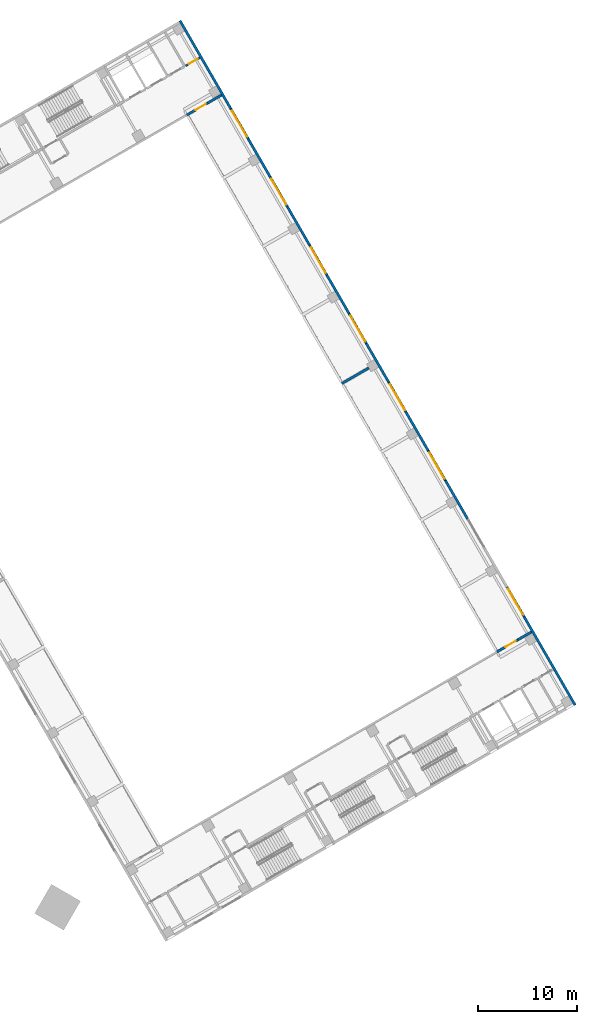
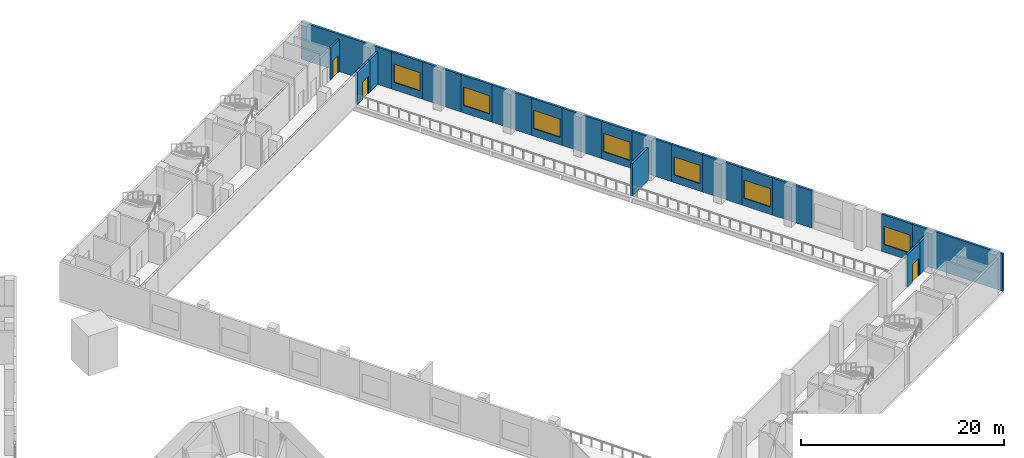
# One storey, part 18 of 28: 21 walls, 7 windows, 3 doors, 10 openings.
"""IFC4 building model written with IfcOpenShell, lengths in metres."""

from ifc_helpers import new_model, si_unit, direction, frame, frame_2d, origin, place, context, subcontext, project, spatial, rectangle, extrude, material, layer, layer_set, type_object, element, fill, save


model = new_model("IFC4")

# Units and contexts
model_context = context("Model", 3, precision=1e-05, world=origin(), true_north=direction((0.0, 1.0)))
body_context = subcontext(model_context, "Body", "Model", "MODEL_VIEW")
ifc_project = project(units=[si_unit("LENGTHUNIT", "METRE"), si_unit("AREAUNIT", "SQUARE_METRE"), si_unit("VOLUMEUNIT", "CUBIC_METRE"), si_unit("PLANEANGLEUNIT", "RADIAN"), si_unit("MASSUNIT", "GRAM", prefix="KILO")], contexts=[model_context])

# Site, building, storey
site_placement = place(None, origin())
site = spatial("IfcSite", under=ifc_project, at=site_placement, CompositionType="ELEMENT")
building_placement = place(site_placement, origin())
building = spatial("IfcBuilding", under=site, at=building_placement, Name="Mestral Congress Tower", CompositionType="ELEMENT")
storey_placement = place(building_placement, frame((0.0, 0.0, 11.39990234375)))
storey = spatial("IfcBuildingStorey", under=building, at=storey_placement, Name="L02", CompositionType="ELEMENT", Elevation=11.39990234375)

# Wall
ifc_material_1 = material(Name="Precast concrete C40/50 with limestone facing", Category="masonry")
ifc_layer_1 = layer(ifc_material_1, 0.25)
ifc_layer_set_1 = layer_set([ifc_layer_1], Name="Precast concrete C40/50 with limestone facing")
wall_type_1 = type_object("IfcWallType", Name="Podium external wall 250", PredefinedType="SOLIDWALL", material=ifc_layer_set_1)
wall_1_placement = place(storey_placement, frame((78.75927734375, 11.19091796875, 0.0), z_axis=(0.0, 0.0, 1.0), x_axis=(0.500001855621, -0.866024332438, 0.0)))
element("IfcWall", 1, at=wall_1_placement, inside=storey, type_object=wall_type_1, Name="L02 external wall", PredefinedType="SOLIDWALL", context=body_context, shape_type="SweptSolid", body=[
    extrude(rectangle(XDim=10.31201171875, YDim=0.25, at=frame_2d((5.156005859375, 0.0))), origin(), (0.0, 0.0, 1.0), 4.5),
])

# Wall, opening, window
wall_2_placement = place(storey_placement, frame((77.00927734375, 14.221923828125, 0.0), z_axis=(0.0, 0.0, 1.0), x_axis=(0.500010275428, -0.866019471182, 0.0)))
wall_2 = element("IfcWall", 2, at=wall_2_placement, inside=storey, type_object=wall_type_1, Name="L02 external wall", PredefinedType="SOLIDWALL", context=body_context, shape_type="SweptSolid", body=[
    extrude(rectangle(XDim=3.5, YDim=0.25, at=frame_2d((1.75, 0.0))), origin(), (0.0, 0.0, 1.0), 4.5),
])
opening_1_placement = place(wall_2_placement, frame((0.25, 0.0, 0.89990234375)))
opening_1 = element("IfcOpeningElement", 3, at=opening_1_placement, cuts=wall_2, Name="Opening PW-3000x2200", PredefinedType="OPENING", context=body_context, shape_type="SweptSolid", body=[
    extrude(rectangle(XDim=3.0, YDim=2.199951171875, at=frame_2d((1.5, 1.10009765625))), frame((0.0, 0.135009765625, 0.0), z_axis=(0.0, -1.0, 0.0), x_axis=(1.0, 0.0, 0.0)), (0.0, 0.0, 1.0), 0.27001953125),
])
ifc_material_2 = material(Name="Aluminium frame, clear double glazing", Category="aluminium")
window_type = type_object("IfcWindowType", Name="Podium window 3000x2200 sill 900", PartitioningType="SINGLE_PANEL", PredefinedType="WINDOW", material=ifc_material_2)
window_1_placement = place(opening_1_placement, origin())
window_1 = element("IfcWindow", 4, at=window_1_placement, inside=storey, type_object=window_type, Name="Window", OverallHeight=2.199951171875, OverallWidth=3.0, PartitioningType="SINGLE_PANEL", PredefinedType="WINDOW", context=body_context, shape_type="SweptSolid", body=[
    extrude(rectangle(XDim=3.0, YDim=2.199951171875, at=frame_2d((1.5, 1.10009765625))), frame((0.0, 0.030029296875, 0.0), z_axis=(0.0, -1.0, 0.0), x_axis=(1.0, 0.0, 0.0)), (0.0, 0.0, 1.0), 0.06005859375),
])
fill(opening_1, window_1)

# Wall
wall_3_placement = place(storey_placement, frame((70.790283203125, 24.99365234375, 0.0), z_axis=(0.0, 0.0, 1.0), x_axis=(0.500013631625, -0.866017533419, 0.0)))
element("IfcWall", 5, at=wall_3_placement, inside=storey, type_object=wall_type_1, Name="L02 external wall", PredefinedType="SOLIDWALL", context=body_context, shape_type="SweptSolid", body=[
    extrude(rectangle(XDim=4.499755859375, YDim=0.25, at=frame_2d((2.25, 0.0))), origin(), (0.0, 0.0, 1.0), 4.5),
])

# Wall, opening, window
wall_4_placement = place(storey_placement, frame((69.040283203125, 28.02490234375, 0.0), z_axis=(0.0, 0.0, 1.0), x_axis=(0.499980071345, -0.866036909293, 0.0)))
wall_4 = element("IfcWall", 6, at=wall_4_placement, inside=storey, type_object=wall_type_1, Name="L02 external wall", PredefinedType="SOLIDWALL", context=body_context, shape_type="SweptSolid", body=[
    extrude(rectangle(XDim=3.500244140625, YDim=0.25, at=frame_2d((1.75, 0.0))), origin(), (0.0, 0.0, 1.0), 4.5),
])
opening_2_placement = place(wall_4_placement, frame((0.25, 0.0, 0.89990234375)))
opening_2 = element("IfcOpeningElement", 7, at=opening_2_placement, cuts=wall_4, Name="Opening PW-3000x2200", PredefinedType="OPENING", context=body_context, shape_type="SweptSolid", body=[
    extrude(rectangle(XDim=3.0, YDim=2.199951171875, at=frame_2d((1.5, 1.10009765625))), frame((0.0, 0.135009765625, 0.0), z_axis=(0.0, -1.0, 0.0), x_axis=(1.0, 0.0, 0.0)), (0.0, 0.0, 1.0), 0.27001953125),
])
window_2_placement = place(opening_2_placement, origin())
window_2 = element("IfcWindow", 8, at=window_2_placement, inside=storey, type_object=window_type, Name="Window", OverallHeight=2.199951171875, OverallWidth=3.0, PartitioningType="SINGLE_PANEL", PredefinedType="WINDOW", context=body_context, shape_type="SweptSolid", body=[
    extrude(rectangle(XDim=3.0, YDim=2.199951171875, at=frame_2d((1.5, 1.10009765625))), frame((0.0, 0.030029296875, 0.0), z_axis=(0.0, -1.0, 0.0), x_axis=(1.0, 0.0, 0.0)), (0.0, 0.0, 1.0), 0.06005859375),
])
fill(opening_2, window_2)

# Wall
wall_5_placement = place(storey_placement, frame((66.790283203125, 31.921875, 0.0), z_axis=(0.0, 0.0, 1.0), x_axis=(0.500013631625, -0.866017533419, 0.0)))
element("IfcWall", 9, at=wall_5_placement, inside=storey, type_object=wall_type_1, Name="L02 external wall", PredefinedType="SOLIDWALL", context=body_context, shape_type="SweptSolid", body=[
    extrude(rectangle(XDim=4.499755859375, YDim=0.25, at=frame_2d((2.25, 0.0))), origin(), (0.0, 0.0, 1.0), 4.5),
])

# Wall, opening, window
wall_6_placement = place(storey_placement, frame((65.040283203125, 34.952880859375, 0.0), z_axis=(0.0, 0.0, 1.0), x_axis=(0.500010275428, -0.866019471182, 0.0)))
wall_6 = element("IfcWall", 10, at=wall_6_placement, inside=storey, type_object=wall_type_1, Name="L02 external wall", PredefinedType="SOLIDWALL", context=body_context, shape_type="SweptSolid", body=[
    extrude(rectangle(XDim=3.5, YDim=0.25, at=frame_2d((1.75, 0.0))), origin(), (0.0, 0.0, 1.0), 4.5),
])
opening_3_placement = place(wall_6_placement, frame((0.25, 0.0, 0.89990234375)))
opening_3 = element("IfcOpeningElement", 11, at=opening_3_placement, cuts=wall_6, Name="Opening PW-3000x2200", PredefinedType="OPENING", context=body_context, shape_type="SweptSolid", body=[
    extrude(rectangle(XDim=3.0, YDim=2.199951171875, at=frame_2d((1.5, 1.10009765625))), frame((0.0, 0.135009765625, 0.0), z_axis=(0.0, -1.0, 0.0), x_axis=(1.0, 0.0, 0.0)), (0.0, 0.0, 1.0), 0.27001953125),
])
window_3_placement = place(opening_3_placement, origin())
window_3 = element("IfcWindow", 12, at=window_3_placement, inside=storey, type_object=window_type, Name="Window", OverallHeight=2.199951171875, OverallWidth=3.0, PartitioningType="SINGLE_PANEL", PredefinedType="WINDOW", context=body_context, shape_type="SweptSolid", body=[
    extrude(rectangle(XDim=3.0, YDim=2.199951171875, at=frame_2d((1.5, 1.10009765625))), frame((0.0, 0.030029296875, 0.0), z_axis=(0.0, -1.0, 0.0), x_axis=(1.0, 0.0, 0.0)), (0.0, 0.0, 1.0), 0.06005859375),
])
fill(opening_3, window_3)

# Wall
wall_7_placement = place(storey_placement, frame((62.790283203125, 38.85009765625, 0.0), z_axis=(0.0, 0.0, 1.0), x_axis=(0.499990139034, -0.866031096941, 0.0)))
element("IfcWall", 13, at=wall_7_placement, inside=storey, type_object=wall_type_1, Name="L02 external wall", PredefinedType="SOLIDWALL", context=body_context, shape_type="SweptSolid", body=[
    extrude(rectangle(XDim=4.5, YDim=0.25, at=frame_2d((2.25, 0.0))), origin(), (0.0, 0.0, 1.0), 4.5),
])

# Wall, opening, window
wall_8_placement = place(storey_placement, frame((61.040283203125, 41.881103515625, 0.0), z_axis=(0.0, 0.0, 1.0), x_axis=(0.500010275428, -0.866019471182, 0.0)))
wall_8 = element("IfcWall", 14, at=wall_8_placement, inside=storey, type_object=wall_type_1, Name="L02 external wall", PredefinedType="SOLIDWALL", context=body_context, shape_type="SweptSolid", body=[
    extrude(rectangle(XDim=3.5, YDim=0.25, at=frame_2d((1.75, 0.0))), origin(), (0.0, 0.0, 1.0), 4.5),
])
opening_4_placement = place(wall_8_placement, frame((0.25, 0.0, 0.89990234375)))
opening_4 = element("IfcOpeningElement", 15, at=opening_4_placement, cuts=wall_8, Name="Opening PW-3000x2200", PredefinedType="OPENING", context=body_context, shape_type="SweptSolid", body=[
    extrude(rectangle(XDim=3.0, YDim=2.199951171875, at=frame_2d((1.5, 1.10009765625))), frame((0.0, 0.135009765625, 0.0), z_axis=(0.0, -1.0, 0.0), x_axis=(1.0, 0.0, 0.0)), (0.0, 0.0, 1.0), 0.27001953125),
])
window_4_placement = place(opening_4_placement, origin())
window_4 = element("IfcWindow", 16, at=window_4_placement, inside=storey, type_object=window_type, Name="Window", OverallHeight=2.199951171875, OverallWidth=3.0, PartitioningType="SINGLE_PANEL", PredefinedType="WINDOW", context=body_context, shape_type="SweptSolid", body=[
    extrude(rectangle(XDim=3.0, YDim=2.199951171875, at=frame_2d((1.5, 1.10009765625))), frame((0.0, 0.030029296875, 0.0), z_axis=(0.0, -1.0, 0.0), x_axis=(1.0, 0.0, 0.0)), (0.0, 0.0, 1.0), 0.06005859375),
])
fill(opening_4, window_4)

# Wall
wall_9_placement = place(storey_placement, frame((58.790283203125, 45.7783203125, 0.0), z_axis=(0.0, 0.0, 1.0), x_axis=(0.499990139034, -0.866031096941, 0.0)))
element("IfcWall", 17, at=wall_9_placement, inside=storey, type_object=wall_type_1, Name="L02 external wall", PredefinedType="SOLIDWALL", context=body_context, shape_type="SweptSolid", body=[
    extrude(rectangle(XDim=4.5, YDim=0.25, at=frame_2d((2.25, 0.0))), origin(), (0.0, 0.0, 1.0), 4.5),
])

# Wall, opening, window
wall_10_placement = place(storey_placement, frame((57.040283203125, 48.809326171875, 0.0), z_axis=(0.0, 0.0, 1.0), x_axis=(0.500010275428, -0.866019471182, 0.0)))
wall_10 = element("IfcWall", 18, at=wall_10_placement, inside=storey, type_object=wall_type_1, Name="L02 external wall", PredefinedType="SOLIDWALL", context=body_context, shape_type="SweptSolid", body=[
    extrude(rectangle(XDim=3.5, YDim=0.25, at=frame_2d((1.75, 0.0))), origin(), (0.0, 0.0, 1.0), 4.5),
])
opening_5_placement = place(wall_10_placement, frame((0.25, 0.0, 0.89990234375)))
opening_5 = element("IfcOpeningElement", 19, at=opening_5_placement, cuts=wall_10, Name="Opening PW-3000x2200", PredefinedType="OPENING", context=body_context, shape_type="SweptSolid", body=[
    extrude(rectangle(XDim=3.0, YDim=2.199951171875, at=frame_2d((1.5, 1.10009765625))), frame((0.0, 0.135009765625, 0.0), z_axis=(0.0, -1.0, 0.0), x_axis=(1.0, 0.0, 0.0)), (0.0, 0.0, 1.0), 0.27001953125),
])
window_5_placement = place(opening_5_placement, origin())
window_5 = element("IfcWindow", 20, at=window_5_placement, inside=storey, type_object=window_type, Name="Window", OverallHeight=2.199951171875, OverallWidth=3.0, PartitioningType="SINGLE_PANEL", PredefinedType="WINDOW", context=body_context, shape_type="SweptSolid", body=[
    extrude(rectangle(XDim=3.0, YDim=2.199951171875, at=frame_2d((1.5, 1.10009765625))), frame((0.0, 0.030029296875, 0.0), z_axis=(0.0, -1.0, 0.0), x_axis=(1.0, 0.0, 0.0)), (0.0, 0.0, 1.0), 0.06005859375),
])
fill(opening_5, window_5)

# Wall
wall_11_placement = place(storey_placement, frame((54.790283203125, 52.70654296875, 0.0), z_axis=(0.0, 0.0, 1.0), x_axis=(0.499990139034, -0.866031096941, 0.0)))
element("IfcWall", 21, at=wall_11_placement, inside=storey, type_object=wall_type_1, Name="L02 external wall", PredefinedType="SOLIDWALL", context=body_context, shape_type="SweptSolid", body=[
    extrude(rectangle(XDim=4.5, YDim=0.25, at=frame_2d((2.25, 0.0))), origin(), (0.0, 0.0, 1.0), 4.5),
])

# Wall, opening, window
wall_12_placement = place(storey_placement, frame((53.040283203125, 55.737548828125, 0.0), z_axis=(0.0, 0.0, 1.0), x_axis=(0.500010275428, -0.866019471182, 0.0)))
wall_12 = element("IfcWall", 22, at=wall_12_placement, inside=storey, type_object=wall_type_1, Name="L02 external wall", PredefinedType="SOLIDWALL", context=body_context, shape_type="SweptSolid", body=[
    extrude(rectangle(XDim=3.5, YDim=0.25, at=frame_2d((1.75, 0.0))), origin(), (0.0, 0.0, 1.0), 4.5),
])
opening_6_placement = place(wall_12_placement, frame((0.25, 0.0, 0.89990234375)))
opening_6 = element("IfcOpeningElement", 23, at=opening_6_placement, cuts=wall_12, Name="Opening PW-3000x2200", PredefinedType="OPENING", context=body_context, shape_type="SweptSolid", body=[
    extrude(rectangle(XDim=3.0, YDim=2.199951171875, at=frame_2d((1.5, 1.10009765625))), frame((0.0, 0.135009765625, 0.0), z_axis=(0.0, -1.0, 0.0), x_axis=(1.0, 0.0, 0.0)), (0.0, 0.0, 1.0), 0.27001953125),
])
window_6_placement = place(opening_6_placement, origin())
window_6 = element("IfcWindow", 24, at=window_6_placement, inside=storey, type_object=window_type, Name="Window", OverallHeight=2.199951171875, OverallWidth=3.0, PartitioningType="SINGLE_PANEL", PredefinedType="WINDOW", context=body_context, shape_type="SweptSolid", body=[
    extrude(rectangle(XDim=3.0, YDim=2.199951171875, at=frame_2d((1.5, 1.10009765625))), frame((0.0, 0.030029296875, 0.0), z_axis=(0.0, -1.0, 0.0), x_axis=(1.0, 0.0, 0.0)), (0.0, 0.0, 1.0), 0.06005859375),
])
fill(opening_6, window_6)

# Wall
wall_13_placement = place(storey_placement, frame((50.8212890625, 59.5810546875, 0.0), z_axis=(0.0, 0.0, 1.0), x_axis=(0.499990705068, -0.866030770149, 0.0)))
element("IfcWall", 25, at=wall_13_placement, inside=storey, type_object=wall_type_1, Name="L02 external wall", PredefinedType="SOLIDWALL", context=body_context, shape_type="SweptSolid", body=[
    extrude(rectangle(XDim=4.43798828125, YDim=0.25, at=frame_2d((2.218994140625, 0.0))), origin(), (0.0, 0.0, 1.0), 4.5),
])

# Wall, opening, window
wall_14_placement = place(storey_placement, frame((49.0712890625, 62.612060546875, 0.0), z_axis=(0.0, 0.0, 1.0), x_axis=(0.500010275428, -0.866019471182, 0.0)))
wall_14 = element("IfcWall", 26, at=wall_14_placement, inside=storey, type_object=wall_type_1, Name="L02 external wall", PredefinedType="SOLIDWALL", context=body_context, shape_type="SweptSolid", body=[
    extrude(rectangle(XDim=3.5, YDim=0.25, at=frame_2d((1.75, 0.0))), origin(), (0.0, 0.0, 1.0), 4.5),
])
opening_7_placement = place(wall_14_placement, frame((0.25, 0.0, 0.89990234375)))
opening_7 = element("IfcOpeningElement", 27, at=opening_7_placement, cuts=wall_14, Name="Opening PW-3000x2200", PredefinedType="OPENING", context=body_context, shape_type="SweptSolid", body=[
    extrude(rectangle(XDim=3.0, YDim=2.199951171875, at=frame_2d((1.5, 1.10009765625))), frame((0.0, 0.135009765625, 0.0), z_axis=(0.0, -1.0, 0.0), x_axis=(1.0, 0.0, 0.0)), (0.0, 0.0, 1.0), 0.27001953125),
])
window_7_placement = place(opening_7_placement, origin())
window_7 = element("IfcWindow", 28, at=window_7_placement, inside=storey, type_object=window_type, Name="Window", OverallHeight=2.199951171875, OverallWidth=3.0, PartitioningType="SINGLE_PANEL", PredefinedType="WINDOW", context=body_context, shape_type="SweptSolid", body=[
    extrude(rectangle(XDim=3.0, YDim=2.199951171875, at=frame_2d((1.5, 1.10009765625))), frame((0.0, 0.030029296875, 0.0), z_axis=(0.0, -1.0, 0.0), x_axis=(1.0, 0.0, 0.0)), (0.0, 0.0, 1.0), 0.06005859375),
])
fill(opening_7, window_7)

# Wall
wall_15_placement = place(storey_placement, frame((43.915283203125, 71.54248046875, 0.0), z_axis=(0.0, 0.0, 1.0), x_axis=(0.500001855621, -0.866024332438, 0.0)))
element("IfcWall", 29, at=wall_15_placement, inside=storey, type_object=wall_type_1, Name="L02 external wall", PredefinedType="SOLIDWALL", context=body_context, shape_type="SweptSolid", body=[
    extrude(rectangle(XDim=10.31201171875, YDim=0.25, at=frame_2d((5.156005859375, 0.0))), origin(), (0.0, 0.0, 1.0), 4.5),
])

# Wall, opening, door
ifc_material_3 = material(Name="Masonry block wall", Category="masonry")
ifc_layer_2 = layer(ifc_material_3, 0.25)
ifc_layer_set_2 = layer_set([ifc_layer_2], Name="Masonry block wall")
wall_type_2 = type_object("IfcWallType", Name="Podium hall wall 250 EI 180", PredefinedType="SOLIDWALL", material=ifc_layer_set_2)
wall_16_placement = place(storey_placement, frame((78.10888671875, 8.867431640625, 0.0), z_axis=(0.0, 0.0, 1.0), x_axis=(-0.866057815567, -0.499943856944, 0.0)))
wall_16 = element("IfcWall", 30, at=wall_16_placement, inside=storey, type_object=wall_type_2, Name="L02 partition", PredefinedType="SOLIDWALL", context=body_context, shape_type="SweptSolid", body=[
    extrude(rectangle(XDim=2.449951171875, YDim=0.25, at=frame_2d((1.22509765625, 0.0))), origin(), (0.0, 0.0, 1.0), 3.900146484375),
])
opening_8_placement = place(wall_16_placement, frame((0.25, 0.0, 0.0)))
opening_8 = element("IfcOpeningElement", 31, at=opening_8_placement, cuts=wall_16, Name="Opening P02-018", PredefinedType="OPENING", context=body_context, shape_type="SweptSolid", body=[
    extrude(rectangle(XDim=1.199951171875, YDim=2.10009765625, at=frame_2d((0.60009765625, 1.050048828125))), frame((0.0, 0.135009765625, 0.0), z_axis=(0.0, -1.0, 0.0), x_axis=(1.0, 0.0, 0.0)), (0.0, 0.0, 1.0), 0.27001953125),
])
ifc_material_4 = material(Name="Fire-rated steel door set", Category="steel")
door_type_1 = type_object("IfcDoorType", Name="Podium hall door 1200x2100 EI2 90-C5", OperationType="SINGLE_SWING_LEFT", PredefinedType="DOOR", material=ifc_material_4)
door_1_placement = place(opening_8_placement, origin())
door_1 = element("IfcDoor", 32, at=door_1_placement, inside=storey, type_object=door_type_1, Name="Door P02-018", OperationType="SINGLE_SWING_LEFT", OverallHeight=2.10009765625, OverallWidth=1.199951171875, PredefinedType="DOOR", context=body_context, shape_type="SweptSolid", body=[
    extrude(rectangle(XDim=1.199951171875, YDim=2.10009765625, at=frame_2d((0.60009765625, 1.050048828125))), frame((0.0, 0.02490234375, 0.0), z_axis=(0.0, -1.0, 0.0), x_axis=(1.0, 0.0, 0.0)), (0.0, 0.0, 1.0), 0.050048828125),
])
fill(opening_8, door_1)

# Walls
wall_17_placement = place(storey_placement, frame((78.10888671875, 8.867431640625, 0.0), z_axis=(0.0, 0.0, 1.0), x_axis=(0.865989903783, 0.500061482766, 0.0)))
element("IfcWall", 33, at=wall_17_placement, inside=storey, type_object=wall_type_2, Name="L02 partition", PredefinedType="SOLIDWALL", context=body_context, shape_type="SweptSolid", body=[
    extrude(rectangle(XDim=1.599853515625, YDim=0.25, at=frame_2d((0.7998046875, 0.0))), origin(), (0.0, 0.0, 1.0), 3.900146484375),
])
wall_18_placement = place(storey_placement, frame((60.299560546875, 34.81396484375, 0.0), z_axis=(0.0, 0.0, 1.0), x_axis=(0.866035871367, 0.499981869177, 0.0)))
element("IfcWall", 34, at=wall_18_placement, inside=storey, type_object=wall_type_2, Name="L02 partition", PredefinedType="SOLIDWALL", context=body_context, shape_type="SweptSolid", body=[
    extrude(rectangle(XDim=3.14990234375, YDim=0.25, at=frame_2d((1.574951171875, 0.0))), origin(), (0.0, 0.0, 1.0), 3.900146484375),
])

# Wall, opening, door
wall_19_placement = place(storey_placement, frame((44.612060546875, 61.985595703125, 0.0), z_axis=(0.0, 0.0, 1.0), x_axis=(0.866014668023, 0.500018594424, 0.0)))
wall_19 = element("IfcWall", 35, at=wall_19_placement, inside=storey, type_object=wall_type_2, Name="L02 partition", PredefinedType="SOLIDWALL", context=body_context, shape_type="SweptSolid", body=[
    extrude(rectangle(XDim=2.4501953125, YDim=0.25, at=frame_2d((1.22509765625, 0.0))), origin(), (0.0, 0.0, 1.0), 3.900146484375),
])
opening_9_placement = place(wall_19_placement, frame((1.0, 0.0, 0.0)))
opening_9 = element("IfcOpeningElement", 36, at=opening_9_placement, cuts=wall_19, Name="Opening P02-020", PredefinedType="OPENING", context=body_context, shape_type="SweptSolid", body=[
    extrude(rectangle(XDim=1.199951171875, YDim=2.10009765625, at=frame_2d((0.60009765625, 1.050048828125))), frame((0.0, 0.135009765625, 0.0), z_axis=(0.0, -1.0, 0.0), x_axis=(1.0, 0.0, 0.0)), (0.0, 0.0, 1.0), 0.27001953125),
])
door_2_placement = place(opening_9_placement, origin())
door_2 = element("IfcDoor", 37, at=door_2_placement, inside=storey, type_object=door_type_1, Name="Door P02-020", OperationType="SINGLE_SWING_LEFT", OverallHeight=2.10009765625, OverallWidth=1.199951171875, PredefinedType="DOOR", context=body_context, shape_type="SweptSolid", body=[
    extrude(rectangle(XDim=1.199951171875, YDim=2.10009765625, at=frame_2d((0.60009765625, 1.050048828125))), frame((0.0, 0.02490234375, 0.0), z_axis=(0.0, -1.0, 0.0), x_axis=(1.0, 0.0, 0.0)), (0.0, 0.0, 1.0), 0.050048828125),
])
fill(opening_9, door_2)

# Wall
wall_20_placement = place(storey_placement, frame((46.73388671875, 63.210693359375, 0.0), z_axis=(0.0, 0.0, 1.0), x_axis=(0.866055983265, 0.499947031044, 0.0)))
element("IfcWall", 38, at=wall_20_placement, inside=storey, type_object=wall_type_2, Name="L02 partition", PredefinedType="SOLIDWALL", context=body_context, shape_type="SweptSolid", body=[
    extrude(rectangle(XDim=1.599853515625, YDim=0.25, at=frame_2d((0.7998046875, 0.0))), origin(), (0.0, 0.0, 1.0), 3.900146484375),
])

# Wall, opening, door
ifc_material_5 = material(Name="Fire-rated board partition")
ifc_layer_3 = layer(ifc_material_5, 0.199951171875)
ifc_layer_set_3 = layer_set([ifc_layer_3], Name="Fire-rated board partition")
wall_type_3 = type_object("IfcWallType", Name="Podium vestibule wall 200 EI 120", PredefinedType="PARTITIONING", material=ifc_layer_set_3)
wall_21_placement = place(storey_placement, frame((44.4814453125, 66.9619140625, 0.0), z_axis=(0.0, 0.0, 1.0), x_axis=(0.866027799164, 0.499995851058, 0.0)))
wall_21 = element("IfcWall", 39, at=wall_21_placement, inside=storey, type_object=wall_type_3, Name="L02 partition", PredefinedType="PARTITIONING", context=body_context, shape_type="SweptSolid", body=[
    extrude(rectangle(XDim=1.6748046875, YDim=0.199951171875, at=frame_2d((0.83740234375, 0.0))), origin(), (0.0, 0.0, 1.0), 3.900146484375),
])
opening_10_placement = place(wall_21_placement, frame((0.41259765625, 0.0, 0.0)))
opening_10 = element("IfcOpeningElement", 40, at=opening_10_placement, cuts=wall_21, Name="Opening P02-026", PredefinedType="OPENING", context=body_context, shape_type="SweptSolid", body=[
    extrude(rectangle(XDim=1.0, YDim=2.10009765625, at=frame_2d((0.5, 1.050048828125))), frame((0.0, 0.10986328125, 0.0), z_axis=(0.0, -1.0, 0.0), x_axis=(1.0, 0.0, 0.0)), (0.0, 0.0, 1.0), 0.219970703125),
])
door_type_2 = type_object("IfcDoorType", Name="Podium room door 1000x2100 EI2 30-C5", OperationType="SINGLE_SWING_LEFT", PredefinedType="DOOR", material=ifc_material_4)
door_3_placement = place(opening_10_placement, origin())
door_3 = element("IfcDoor", 41, at=door_3_placement, inside=storey, type_object=door_type_2, Name="Door P02-026", OperationType="SINGLE_SWING_LEFT", OverallHeight=2.10009765625, OverallWidth=1.0, PredefinedType="DOOR", context=body_context, shape_type="SweptSolid", body=[
    extrude(rectangle(XDim=1.0, YDim=2.10009765625, at=frame_2d((0.5, 1.050048828125))), frame((0.0, 0.02490234375, 0.0), z_axis=(0.0, -1.0, 0.0), x_axis=(1.0, 0.0, 0.0)), (0.0, 0.0, 1.0), 0.050048828125),
])
fill(opening_10, door_3)

save(model, "model.ifc")
